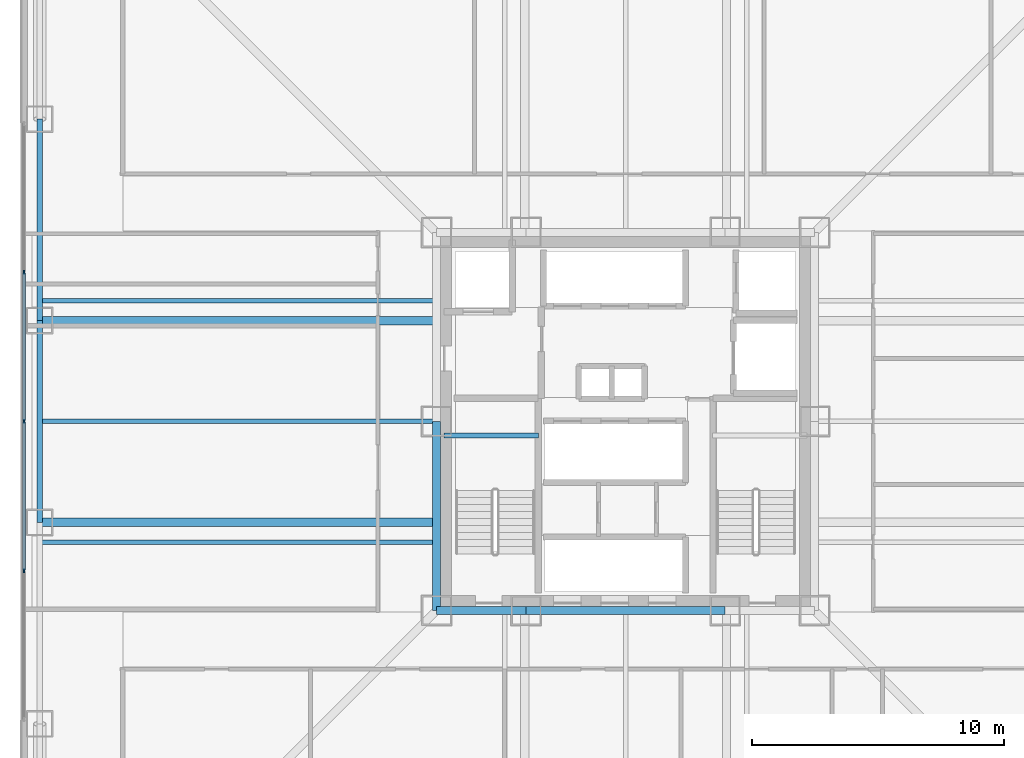
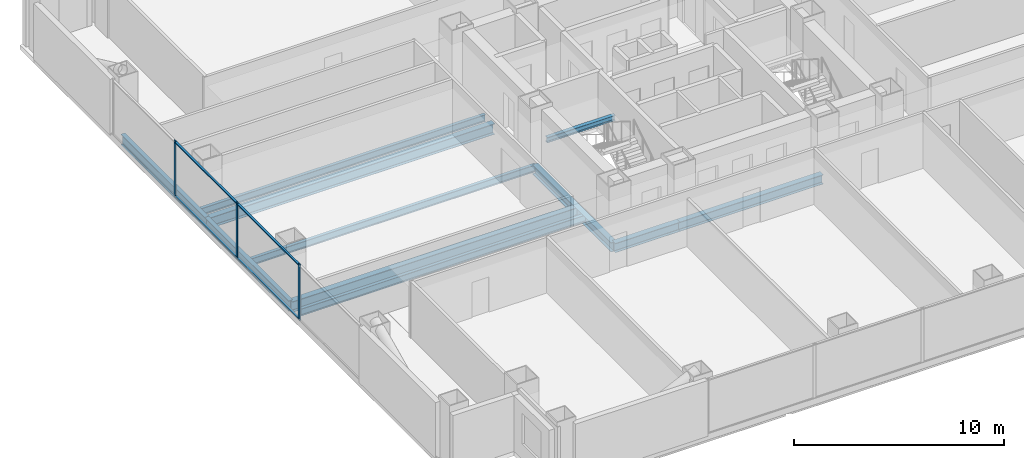
# One storey, part 4 of 15: 11 beams, 7 members, 1 element without a shape of its own.
"""IFC4 building model written with IfcOpenShell, lengths in metres."""

from ifc_helpers import new_model, si_unit, direction, frame, origin, origin_2d, place, context, subcontext, project, spatial, rectangle, i_section, extrude, material, layer, layer_set, material_profile, profile_set, type_object, element, aggregate, save


model = new_model("IFC4")

# Units and contexts
model_context = context("Model", 3, precision=1e-05, world=origin(), true_north=direction((0.0, 1.0)))
body_context = subcontext(model_context, "Body", "Model", "MODEL_VIEW")
ifc_project = project(units=[si_unit("LENGTHUNIT", "METRE"), si_unit("AREAUNIT", "SQUARE_METRE"), si_unit("VOLUMEUNIT", "CUBIC_METRE"), si_unit("PLANEANGLEUNIT", "RADIAN"), si_unit("MASSUNIT", "GRAM", prefix="KILO")], contexts=[model_context])

# Site, building, storey
site_placement = place(None, origin())
site = spatial("IfcSite", under=ifc_project, at=site_placement, CompositionType="ELEMENT")
building_placement = place(site_placement, origin())
building = spatial("IfcBuilding", under=site, at=building_placement, Name="Trevonay Congress Spire", CompositionType="ELEMENT")
storey_placement = place(building_placement, frame((0.0, 0.0, 44.5)))
storey = spatial("IfcBuildingStorey", under=building, at=storey_placement, Name="L10", CompositionType="ELEMENT", Elevation=44.5)

# Beams
ifc_material_1 = material(Name="Steel ASTM A572 Grade 50", Category="steel")
ifc_material_profile_1 = material_profile(ifc_material_1, i_section(OverallWidth=0.31201171875, OverallDepth=0.54296875, WebThickness=0.0126953125, FlangeThickness=0.020263671875, FilletRadius=0.014892578125, at=origin_2d()), Name="W530x150")
ifc_profile_set_1 = profile_set([ifc_material_profile_1], Name="Steel ASTM A572 Grade 50")
beam_type_1 = type_object("IfcBeamType", Name="BM-GIRD-W530X150", PredefinedType="BEAM", material=ifc_profile_set_1)
beam_1_placement = place(storey_placement, frame((-7.5, -7.5, -0.521484375), z_axis=(1.0, 0.0, 0.0), x_axis=(0.0, 1.0, 0.0)))
element("IfcBeam", 1, at=beam_1_placement, inside=storey, type_object=beam_type_1, Name="L10 structural beam BM-L10-CR-S1", PredefinedType="BEAM", context=body_context, shape_type="SweptSolid", body=[
    extrude(i_section(OverallWidth=0.31201171875, OverallDepth=0.54296875, WebThickness=0.0126953125, FlangeThickness=0.020263671875, FilletRadius=0.014892578125, at=origin_2d()), origin(), (0.0, 0.0, 1.0), 3.550048828125),
])
beam_2_placement = place(storey_placement, frame((-3.949951171875, -7.5, -0.521484375), z_axis=(1.0, 0.0, 0.0), x_axis=(0.0, 1.0, 0.0)))
element("IfcBeam", 2, at=beam_2_placement, inside=storey, type_object=beam_type_1, Name="L10 structural beam BM-L10-CR-S2", PredefinedType="BEAM", context=body_context, shape_type="SweptSolid", body=[
    extrude(i_section(OverallWidth=0.31201171875, OverallDepth=0.54296875, WebThickness=0.0126953125, FlangeThickness=0.020263671875, FilletRadius=0.014892578125, at=origin_2d()), origin(), (0.0, 0.0, 1.0), 7.89990234375),
])
beam_3_placement = place(storey_placement, frame((-7.5, -7.5, -0.521484375), z_axis=(0.0, 1.0, 0.0), x_axis=(-1.0, 0.0, 0.0)))
element("IfcBeam", 3, at=beam_3_placement, inside=storey, type_object=beam_type_1, Name="L10 structural beam BM-L10-CR-W1", PredefinedType="BEAM", context=body_context, shape_type="SweptSolid", body=[
    extrude(i_section(OverallWidth=0.31201171875, OverallDepth=0.54296875, WebThickness=0.0126953125, FlangeThickness=0.020263671875, FilletRadius=0.014892578125, at=origin_2d()), origin(), (0.0, 0.0, 1.0), 7.5),
])
ifc_material_profile_2 = material_profile(ifc_material_1, i_section(OverallWidth=0.324951171875, OverallDepth=0.615966796875, WebThickness=0.013916015625, FlangeThickness=0.021484375, FilletRadius=0.01806640625, at=origin_2d()), Name="W610x174")
ifc_profile_set_2 = profile_set([ifc_material_profile_2], Name="Steel ASTM A572 Grade 50")
beam_type_2 = type_object("IfcBeamType", Name="BM-GIRD-W610X174", PredefinedType="BEAM", material=ifc_profile_set_2)
for number, where, z_axis, x_axis, name in (
    (4, (-7.5, -4.0, -0.55810546875), (-1.0, 0.0, 0.0), (0.0, -1.0, 0.0), "L10 structural beam BM-L10-GW-M"),
    (5, (-7.5, 4.0, -0.55810546875), (-1.0, 0.0, 0.0), (0.0, -1.0, 0.0), "L10 structural beam BM-L10-GW-P"),
):
    element("IfcBeam", number, at=place(storey_placement, frame(where, z_axis=z_axis, x_axis=x_axis)), inside=storey, type_object=beam_type_2, Name=name, PredefinedType="BEAM", context=body_context, shape_type="SweptSolid", body=[
        extrude(i_section(OverallWidth=0.324951171875, OverallDepth=0.615966796875, WebThickness=0.013916015625, FlangeThickness=0.021484375, FilletRadius=0.01806640625, at=origin_2d()), origin(), (0.0, 0.0, 1.0), 15.75),
    ])
ifc_material_profile_3 = material_profile(ifc_material_1, i_section(OverallWidth=0.22998046875, OverallDepth=0.616943359375, WebThickness=0.01318359375, FlangeThickness=0.022216796875, FilletRadius=0.01611328125, at=origin_2d()), Name="W610x140")
ifc_profile_set_3 = profile_set([ifc_material_profile_3], Name="Steel ASTM A572 Grade 50")
beam_type_3 = type_object("IfcBeamType", Name="BM-RING-W610X140", PredefinedType="BEAM", material=ifc_profile_set_3)
for number, where, z_axis, x_axis, name in (
    (6, (-23.25, -4.0, -0.55859375), (0.0, 1.0, 0.0), (-1.0, 0.0, 0.0), "L10 structural beam BM-L10-PW3"),
    (7, (-23.25, 4.0, -0.55859375), (0.0, 1.0, 0.0), (-1.0, 0.0, 0.0), "L10 structural beam BM-L10-PW4"),
):
    element("IfcBeam", number, at=place(storey_placement, frame(where, z_axis=z_axis, x_axis=x_axis)), inside=storey, type_object=beam_type_3, Name=name, PredefinedType="BEAM", context=body_context, shape_type="SweptSolid", body=[
        extrude(i_section(OverallWidth=0.22998046875, OverallDepth=0.616943359375, WebThickness=0.01318359375, FlangeThickness=0.022216796875, FilletRadius=0.01611328125, at=origin_2d()), origin(), (0.0, 0.0, 1.0), 8.0),
    ])

# Curtain wall, members
ifc_material_2 = material(Name="Pale Anodised Aluminium EN AW-6063-T6", Category="aluminium")
ifc_layer = layer(ifc_material_2, 0.179931640625, Name="Pale Anodised Aluminium EN AW-6063-T6")
ifc_layer_set = layer_set([ifc_layer], Name="Pale Anodised Aluminium EN AW-6063-T6")
curtain_wall_type = type_object("IfcCurtainWallType", Name="CW-SYS02-HOTEL-PALE-METAL", PredefinedType="NOTDEFINED", material=ifc_layer_set)
curtain_wall_placement = place(storey_placement, origin())
curtain_wall = element("IfcCurtainWall", 8, at=curtain_wall_placement, inside=storey, type_object=curtain_wall_type, Name="L10 W unitised curtain wall", PredefinedType="NOTDEFINED")
ifc_material_profile_4 = material_profile(ifc_material_2, rectangle(XDim=0.06005859375, YDim=0.159912109375, at=origin_2d()), Name="CW-MULLION-160-ALUMINIUM")
ifc_profile_set_4 = profile_set([ifc_material_profile_4], Name="Pale Anodised Aluminium EN AW-6063-T6")
member_type_1 = type_object("IfcMemberType", Name="CW-MULLION-160-ALUMINIUM", PredefinedType="MULLION", material=ifc_profile_set_4)
member_1_placement = place(storey_placement, frame((-23.8798828125, -5.925048828125, 0.0), z_axis=(0.0, 0.0, 1.0), x_axis=(-1.0, 0.0, 0.0)))
member_1 = element("IfcMember", 9, at=member_1_placement, type_object=member_type_1, Name="CW02 mullion 2", PredefinedType="MULLION", context=body_context, shape_type="SweptSolid", body=[
    extrude(rectangle(XDim=0.06005859375, YDim=0.159912109375, at=origin_2d()), origin(), (0.0, 0.0, 1.0), 3.25),
])
member_2_placement = place(storey_placement, frame((-23.8798828125, 0.0, 0.0), z_axis=(0.0, 0.0, 1.0), x_axis=(-1.0, 0.0, 0.0)))
member_2 = element("IfcMember", 10, at=member_2_placement, type_object=member_type_1, Name="CW02 mullion 3", PredefinedType="MULLION", context=body_context, shape_type="SweptSolid", body=[
    extrude(rectangle(XDim=0.06005859375, YDim=0.159912109375, at=origin_2d()), origin(), (0.0, 0.0, 1.0), 3.25),
])
member_3_placement = place(storey_placement, frame((-23.8798828125, 5.925048828125, 0.0), z_axis=(0.0, 0.0, 1.0), x_axis=(-1.0, 0.0, 0.0)))
member_3 = element("IfcMember", 11, at=member_3_placement, type_object=member_type_1, Name="CW02 mullion 4", PredefinedType="MULLION", context=body_context, shape_type="SweptSolid", body=[
    extrude(rectangle(XDim=0.06005859375, YDim=0.159912109375, at=origin_2d()), origin(), (0.0, 0.0, 1.0), 3.25),
])
ifc_material_profile_5 = material_profile(ifc_material_2, rectangle(XDim=0.1201171875, YDim=0.06005859375, at=origin_2d()), Name="CW-TRANSOM-120-ALUMINIUM")
ifc_profile_set_5 = profile_set([ifc_material_profile_5], Name="Pale Anodised Aluminium EN AW-6063-T6")
member_type_2 = type_object("IfcMemberType", Name="CW-TRANSOM-120-ALUMINIUM", PredefinedType="USERDEFINED", material=ifc_profile_set_5)
member_4_placement = place(storey_placement, frame((-23.8798828125, -5.89501953125, 0.06005859375), z_axis=(0.0, 1.0, 0.0), x_axis=(-1.0, 0.0, 0.0)))
member_4 = element("IfcMember", 12, at=member_4_placement, type_object=member_type_2, Name="CW02 transom 2.1", ObjectType="TRANSOM", PredefinedType="USERDEFINED", context=body_context, shape_type="SweptSolid", body=[
    extrude(rectangle(XDim=0.1201171875, YDim=0.06005859375, at=origin_2d()), origin(), (0.0, 0.0, 1.0), 5.864990234375),
])
member_5_placement = place(storey_placement, frame((-23.8798828125, -5.89501953125, 3.18994140625), z_axis=(0.0, 1.0, 0.0), x_axis=(-1.0, 0.0, 0.0)))
member_5 = element("IfcMember", 13, at=member_5_placement, type_object=member_type_2, Name="CW02 transom 2.2", ObjectType="TRANSOM", PredefinedType="USERDEFINED", context=body_context, shape_type="SweptSolid", body=[
    extrude(rectangle(XDim=0.1201171875, YDim=0.06005859375, at=origin_2d()), origin(), (0.0, 0.0, 1.0), 5.864990234375),
])
member_6_placement = place(storey_placement, frame((-23.8798828125, 0.030029296875, 0.06005859375), z_axis=(0.0, 1.0, 0.0), x_axis=(-1.0, 0.0, 0.0)))
member_6 = element("IfcMember", 14, at=member_6_placement, type_object=member_type_2, Name="CW02 transom 3.1", ObjectType="TRANSOM", PredefinedType="USERDEFINED", context=body_context, shape_type="SweptSolid", body=[
    extrude(rectangle(XDim=0.1201171875, YDim=0.06005859375, at=origin_2d()), origin(), (0.0, 0.0, 1.0), 5.864990234375),
])
member_7_placement = place(storey_placement, frame((-23.8798828125, 0.030029296875, 3.18994140625), z_axis=(0.0, 1.0, 0.0), x_axis=(-1.0, 0.0, 0.0)))
member_7 = element("IfcMember", 15, at=member_7_placement, type_object=member_type_2, Name="CW02 transom 3.2", ObjectType="TRANSOM", PredefinedType="USERDEFINED", context=body_context, shape_type="SweptSolid", body=[
    extrude(rectangle(XDim=0.1201171875, YDim=0.06005859375, at=origin_2d()), origin(), (0.0, 0.0, 1.0), 5.864990234375),
])
aggregate(curtain_wall, [member_1, member_2, member_3, member_4, member_5, member_6, member_7])

# Beams
ifc_material_profile_6 = material_profile(ifc_material_1, i_section(OverallWidth=0.177978515625, OverallDepth=0.406982421875, WebThickness=0.0078125, FlangeThickness=0.0126953125, FilletRadius=0.012939453125, at=origin_2d()), Name="W410x60")
ifc_profile_set_6 = profile_set([ifc_material_profile_6], Name="Steel ASTM A572 Grade 50")
beam_type_4 = type_object("IfcBeamType", Name="JS-COMP-W410X60", PredefinedType="JOIST", material=ifc_profile_set_6)
for number, where, z_axis, x_axis, name in (
    (16, (-23.25, -4.800048828125, -0.45361328125), (1.0, 0.0, 0.0), (0.0, 1.0, 0.0), "L10 structural beam JS-L10-EW-W1"),
    (17, (-23.25, 0.0, -0.45361328125), (1.0, 0.0, 0.0), (0.0, 1.0, 0.0), "L10 structural beam JS-L10-EW-W2"),
    (18, (-23.25, 4.800048828125, -0.45361328125), (1.0, 0.0, 0.0), (0.0, 1.0, 0.0), "L10 structural beam JS-L10-EW-W3"),
):
    element("IfcBeam", number, at=place(storey_placement, frame(where, z_axis=z_axis, x_axis=x_axis)), inside=storey, type_object=beam_type_4, Name=name, PredefinedType="JOIST", context=body_context, shape_type="SweptSolid", body=[
        extrude(i_section(OverallWidth=0.177978515625, OverallDepth=0.406982421875, WebThickness=0.0078125, FlangeThickness=0.0126953125, FilletRadius=0.012939453125, at=origin_2d()), origin(), (0.0, 0.0, 1.0), 15.75),
    ])
ifc_material_profile_7 = material_profile(ifc_material_1, i_section(OverallWidth=0.2041015625, OverallDepth=0.305908203125, WebThickness=0.008544921875, FlangeThickness=0.0146484375, FilletRadius=0.010986328125, at=origin_2d()), Name="W310x67")
ifc_profile_set_7 = profile_set([ifc_material_profile_7], Name="Steel ASTM A572 Grade 50")
beam_type_5 = type_object("IfcBeamType", Name="LN-CORE-W310X67", PredefinedType="LINTEL", material=ifc_profile_set_7)
beam_4_placement = place(storey_placement, frame((-7.199951171875, -0.550048828125, 1.39697265625), z_axis=(1.0, 0.0, 0.0), x_axis=(0.0, 1.0, 0.0)))
element("IfcBeam", 19, at=beam_4_placement, inside=storey, type_object=beam_type_5, Name="L10 structural beam BM-L10-HL-ST1", PredefinedType="LINTEL", context=body_context, shape_type="SweptSolid", body=[
    extrude(i_section(OverallWidth=0.2041015625, OverallDepth=0.305908203125, WebThickness=0.008544921875, FlangeThickness=0.0146484375, FilletRadius=0.010986328125, at=origin_2d()), origin(), (0.0, 0.0, 1.0), 3.75),
])

save(model, "model.ifc")
